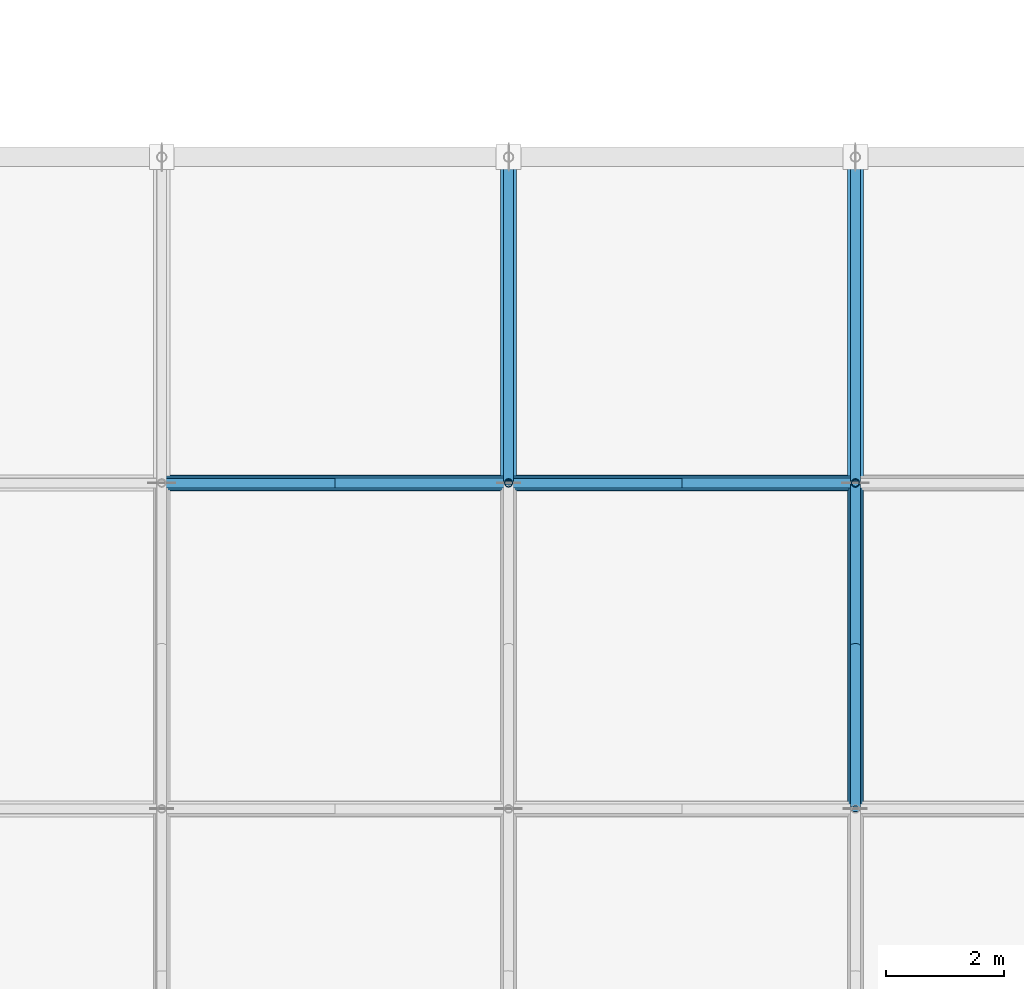
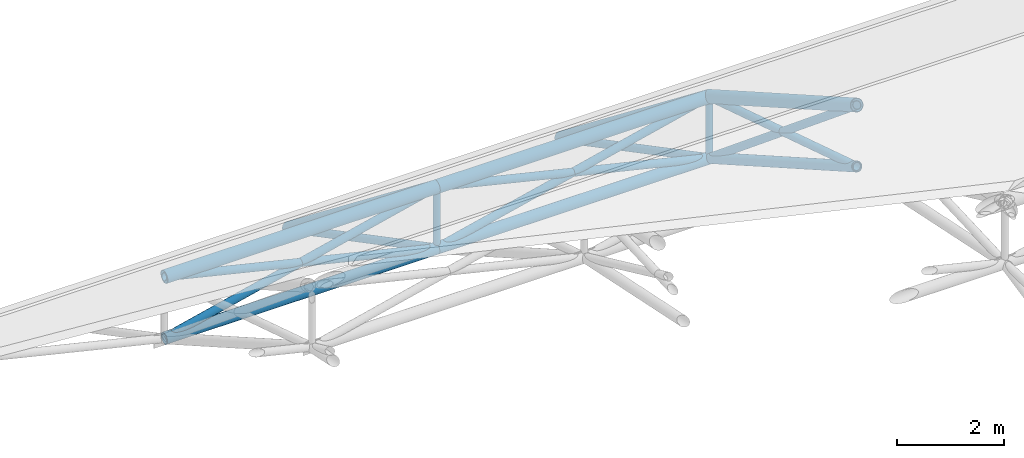
# One storey, part 10 of 82: 18 members.
"""IFC4 building model written with IfcOpenShell, lengths in metres."""

from ifc_helpers import new_model, si_unit, direction, frame, origin, origin_2d, place, context, subcontext, project, spatial, hollow_circle, extrude, material, material_profile, profile_set, type_object, element, save


model = new_model("IFC4")

# Units and contexts
model_context = context("Model", 3, precision=1e-05, world=origin(), true_north=direction((0.0, 1.0)))
body_context = subcontext(model_context, "Body", "Model", "MODEL_VIEW")
ifc_project = project(units=[si_unit("LENGTHUNIT", "METRE"), si_unit("AREAUNIT", "SQUARE_METRE"), si_unit("VOLUMEUNIT", "CUBIC_METRE"), si_unit("PLANEANGLEUNIT", "RADIAN"), si_unit("MASSUNIT", "GRAM", prefix="KILO")], contexts=[model_context])

# Site, building, storey
site_placement = place(None, origin())
site = spatial("IfcSite", under=ifc_project, at=site_placement, CompositionType="ELEMENT")
building_placement = place(site_placement, origin())
building = spatial("IfcBuilding", under=site, at=building_placement, Name="Bramfleet General Hospital", CompositionType="ELEMENT")
storey_placement = place(building_placement, frame((0.0, 0.0, 34.199951171875)))
storey = spatial("IfcBuildingStorey", under=building, at=storey_placement, Name="Roof", CompositionType="ELEMENT", Elevation=34.199951171875)

# Members
ifc_material = material(Name="Steel S355", Category="steel")
ifc_material_profile_1 = material_profile(ifc_material, hollow_circle(Radius=0.122314453125, WallThickness=0.012451171875, at=origin_2d()), Name="CHS 244.5x12.5")
ifc_profile_set_1 = profile_set([ifc_material_profile_1], Name="Steel S355")
member_type_1 = type_object("IfcMemberType", Name="MEM-SF-BC1", PredefinedType="CHORD", material=ifc_profile_set_1)
member_1_placement = place(storey_placement, frame((56.721435546875, 44.833251953125, -16.550048828125), z_axis=(1.0, 0.0, 0.0), x_axis=(0.0, 1.0, 0.0)))
element("IfcMember", 1, at=member_1_placement, inside=storey, type_object=member_type_1, Name="Space Frame Bottom Chord X 1-5", PredefinedType="CHORD", context=body_context, shape_type="SweptSolid", body=[
    extrude(hollow_circle(Radius=0.122314453125, WallThickness=0.012451171875, at=origin_2d()), origin(), (0.0, 0.0, 1.0), 5.871337890625),
])
member_2_placement = place(storey_placement, frame((62.5927734375, 44.833251953125, -16.550048828125), z_axis=(1.0, 0.0, 0.0), x_axis=(0.0, 1.0, 0.0)))
element("IfcMember", 2, at=member_2_placement, inside=storey, type_object=member_type_1, Name="Space Frame Bottom Chord X 2-5", PredefinedType="CHORD", context=body_context, shape_type="SweptSolid", body=[
    extrude(hollow_circle(Radius=0.122314453125, WallThickness=0.012451171875, at=origin_2d()), origin(), (0.0, 0.0, 1.0), 5.87158203125),
])
ifc_material_profile_2 = material_profile(ifc_material, hollow_circle(Radius=0.109619140625, WallThickness=0.010009765625, at=origin_2d()), Name="CHS 219.1x10.0")
ifc_profile_set_2 = profile_set([ifc_material_profile_2], Name="Steel S355")
member_type_2 = type_object("IfcMemberType", Name="MEM-SF-BC2", PredefinedType="CHORD", material=ifc_profile_set_2)
member_3_placement = place(storey_placement, frame((68.46435546875, 39.316650390625, -13.402099609375), z_axis=(0.0, 0.868541026423, -0.49561727716), x_axis=(-1.0, 0.0, 0.0)))
element("IfcMember", 3, at=member_3_placement, inside=storey, type_object=member_type_2, Name="Space Frame Bottom Chord Y 3-4", PredefinedType="CHORD", context=body_context, shape_type="SweptSolid", body=[
    extrude(hollow_circle(Radius=0.109619140625, WallThickness=0.010009765625, at=origin_2d()), origin(), (0.0, 0.0, 1.0), 6.3515625),
])
ifc_material_profile_3 = material_profile(ifc_material, hollow_circle(Radius=0.084228515625, WallThickness=0.008056640625, at=origin_2d()), Name="CHS 168.3x8.0")
ifc_profile_set_3 = profile_set([ifc_material_profile_3], Name="Steel S355")
member_type_3 = type_object("IfcMemberType", Name="MEM-SF-DG1", PredefinedType="STRUT", material=ifc_profile_set_3)
for number, where, z_axis, x_axis, name in (
    (4, (56.721435546875, 44.833251953125, -16.550048828125), (0.97272369554, 0.0, 0.231966834127), (0.0, 1.0, 0.0), "Space Frame Web Strut 1-5-E"),
    (5, (62.5927734375, 44.833251953125, -16.550048828125), (-0.97272369554, 0.0, 0.231966834127), (0.0, -1.0, 0.0), "Space Frame Web Strut 2-5-W"),
):
    element("IfcMember", number, at=place(storey_placement, frame(where, z_axis=z_axis, x_axis=x_axis)), inside=storey, type_object=member_type_3, Name=name, PredefinedType="STRUT", context=body_context, shape_type="SweptSolid", body=[
        extrude(hollow_circle(Radius=0.084228515625, WallThickness=0.008056640625, at=origin_2d()), origin(), (0.0, 0.0, 1.0), 6.035888671875),
    ])
member_4_placement = place(storey_placement, frame((62.5927734375, 44.833251953125, -16.550048828125), z_axis=(0.972725871839, 0.0, 0.2319577079), x_axis=(0.0, 1.0, 0.0)))
element("IfcMember", 6, at=member_4_placement, inside=storey, type_object=member_type_3, Name="Space Frame Web Strut 2-5-E", PredefinedType="STRUT", context=body_context, shape_type="SweptSolid", body=[
    extrude(hollow_circle(Radius=0.084228515625, WallThickness=0.008056640625, at=origin_2d()), origin(), (0.0, 0.0, 1.0), 6.0361328125),
])
member_5_placement = place(storey_placement, frame((62.5927734375, 44.833251953125, -16.550048828125), z_axis=(0.0, 0.885162817116, -0.465281406457), x_axis=(-1.0, 0.0, 0.0)))
element("IfcMember", 7, at=member_5_placement, inside=storey, type_object=member_type_3, Name="Space Frame Web Strut 2-5-N", PredefinedType="STRUT", context=body_context, shape_type="SweptSolid", body=[
    extrude(hollow_circle(Radius=0.084228515625, WallThickness=0.008056640625, at=origin_2d()), origin(), (0.0, 0.0, 1.0), 6.232666015625),
])
member_6_placement = place(storey_placement, frame((68.46435546875, 39.316650390625, -13.402099609375), z_axis=(0.0, 0.95329850344, -0.302029739163), x_axis=(-1.0, 0.0, 0.0)))
element("IfcMember", 8, at=member_6_placement, inside=storey, type_object=member_type_3, Name="Space Frame Web Strut 3-4-N", PredefinedType="STRUT", context=body_context, shape_type="SweptSolid", body=[
    extrude(hollow_circle(Radius=0.084228515625, WallThickness=0.008056640625, at=origin_2d()), origin(), (0.0, 0.0, 1.0), 5.786865234375),
])
member_7_placement = place(storey_placement, frame((68.46435546875, 44.833251953125, -16.550048828125), z_axis=(-0.972725871839, 0.0, 0.2319577079), x_axis=(0.0, -1.0, 0.0)))
element("IfcMember", 9, at=member_7_placement, inside=storey, type_object=member_type_3, Name="Space Frame Web Strut 3-5-W", PredefinedType="STRUT", context=body_context, shape_type="SweptSolid", body=[
    extrude(hollow_circle(Radius=0.084228515625, WallThickness=0.008056640625, at=origin_2d()), origin(), (0.0, 0.0, 1.0), 6.0361328125),
])
member_8_placement = place(storey_placement, frame((68.46435546875, 44.833251953125, -16.550048828125), z_axis=(0.0, -0.77160287806, 0.636104550031), x_axis=(1.0, 0.0, 0.0)))
element("IfcMember", 10, at=member_8_placement, inside=storey, type_object=member_type_3, Name="Space Frame Web Strut 3-5-S", PredefinedType="STRUT", context=body_context, shape_type="SweptSolid", body=[
    extrude(hollow_circle(Radius=0.084228515625, WallThickness=0.008056640625, at=origin_2d()), origin(), (0.0, 0.0, 1.0), 7.1494140625),
])
member_9_placement = place(storey_placement, frame((68.46435546875, 44.833251953125, -16.550048828125), z_axis=(0.0, 0.885162817116, -0.465281406457), x_axis=(-1.0, 0.0, 0.0)))
element("IfcMember", 11, at=member_9_placement, inside=storey, type_object=member_type_3, Name="Space Frame Web Strut 3-5-N", PredefinedType="STRUT", context=body_context, shape_type="SweptSolid", body=[
    extrude(hollow_circle(Radius=0.084228515625, WallThickness=0.008056640625, at=origin_2d()), origin(), (0.0, 0.0, 1.0), 6.232666015625),
])
ifc_material_profile_4 = material_profile(ifc_material, hollow_circle(Radius=0.06982421875, WallThickness=0.008056640625, at=origin_2d()), Name="CHS 139.7x8.0")
ifc_profile_set_4 = profile_set([ifc_material_profile_4], Name="Steel S355")
member_type_4 = type_object("IfcMemberType", Name="MEM-SF-DG2", PredefinedType="STRUT", material=ifc_profile_set_4)
for number, where, z_axis, x_axis, name in (
    (12, (62.5927734375, 44.833251953125, -16.550048828125), (0.0, 0.0, 1.0), (1.0, 0.0, 0.0), "Space Frame King Strut 2-5"),
    (13, (68.46435546875, 44.833251953125, -16.550048828125), (0.0, 0.0, 1.0), (1.0, 0.0, 0.0), "Space Frame King Strut 3-5"),
):
    element("IfcMember", number, at=place(storey_placement, frame(where, z_axis=z_axis, x_axis=x_axis)), inside=storey, type_object=member_type_4, Name=name, PredefinedType="STRUT", context=body_context, shape_type="SweptSolid", body=[
        extrude(hollow_circle(Radius=0.06982421875, WallThickness=0.008056640625, at=origin_2d()), origin(), (0.0, 0.0, 1.0), 1.400146484375),
    ])
ifc_material_profile_5 = material_profile(ifc_material, hollow_circle(Radius=0.136474609375, WallThickness=0.012451171875, at=origin_2d()), Name="CHS 273.0x12.5")
ifc_profile_set_5 = profile_set([ifc_material_profile_5], Name="Steel S355")
member_type_5 = type_object("IfcMemberType", Name="MEM-SF-TC2", PredefinedType="CHORD", material=ifc_profile_set_5)
member_10_placement = place(storey_placement, frame((56.721435546875, 44.833251953125, -15.14990234375), z_axis=(1.0, 0.0, 0.0), x_axis=(0.0, 1.0, 0.0)))
element("IfcMember", 14, at=member_10_placement, inside=storey, type_object=member_type_5, Name="Space Frame Top Chord X 1-5", PredefinedType="CHORD", context=body_context, shape_type="SweptSolid", body=[
    extrude(hollow_circle(Radius=0.136474609375, WallThickness=0.012451171875, at=origin_2d()), origin(), (0.0, 0.0, 1.0), 5.871337890625),
])
member_11_placement = place(storey_placement, frame((62.5927734375, 44.833251953125, -15.14990234375), z_axis=(1.0, 0.0, 0.0), x_axis=(0.0, 1.0, 0.0)))
element("IfcMember", 15, at=member_11_placement, inside=storey, type_object=member_type_5, Name="Space Frame Top Chord X 2-5", PredefinedType="CHORD", context=body_context, shape_type="SweptSolid", body=[
    extrude(hollow_circle(Radius=0.136474609375, WallThickness=0.012451171875, at=origin_2d()), origin(), (0.0, 0.0, 1.0), 5.87158203125),
])
member_12_placement = place(storey_placement, frame((62.5927734375, 44.833251953125, -15.14990234375), z_axis=(0.0, 0.788716549393, -0.614757029007), x_axis=(-1.0, 0.0, 0.0)))
element("IfcMember", 16, at=member_12_placement, inside=storey, type_object=member_type_5, Name="Space Frame Top Chord Y 2-5", PredefinedType="CHORD", context=body_context, shape_type="SweptSolid", body=[
    extrude(hollow_circle(Radius=0.136474609375, WallThickness=0.012451171875, at=origin_2d()), origin(), (0.0, 0.0, 1.0), 6.99462890625),
])
member_13_placement = place(storey_placement, frame((68.46435546875, 39.316650390625, -12.002197265625), z_axis=(0.0, 0.868557572351, -0.495588280241), x_axis=(-1.0, 0.0, 0.0)))
element("IfcMember", 17, at=member_13_placement, inside=storey, type_object=member_type_5, Name="Space Frame Top Chord Y 3-4", PredefinedType="CHORD", context=body_context, shape_type="SweptSolid", body=[
    extrude(hollow_circle(Radius=0.136474609375, WallThickness=0.012451171875, at=origin_2d()), origin(), (0.0, 0.0, 1.0), 6.3515625),
])
member_14_placement = place(storey_placement, frame((68.46435546875, 44.833251953125, -15.14990234375), z_axis=(0.0, 0.788716549393, -0.614757029007), x_axis=(-1.0, 0.0, 0.0)))
element("IfcMember", 18, at=member_14_placement, inside=storey, type_object=member_type_5, Name="Space Frame Top Chord Y 3-5", PredefinedType="CHORD", context=body_context, shape_type="SweptSolid", body=[
    extrude(hollow_circle(Radius=0.136474609375, WallThickness=0.012451171875, at=origin_2d()), origin(), (0.0, 0.0, 1.0), 6.99462890625),
])

save(model, "model.ifc")
